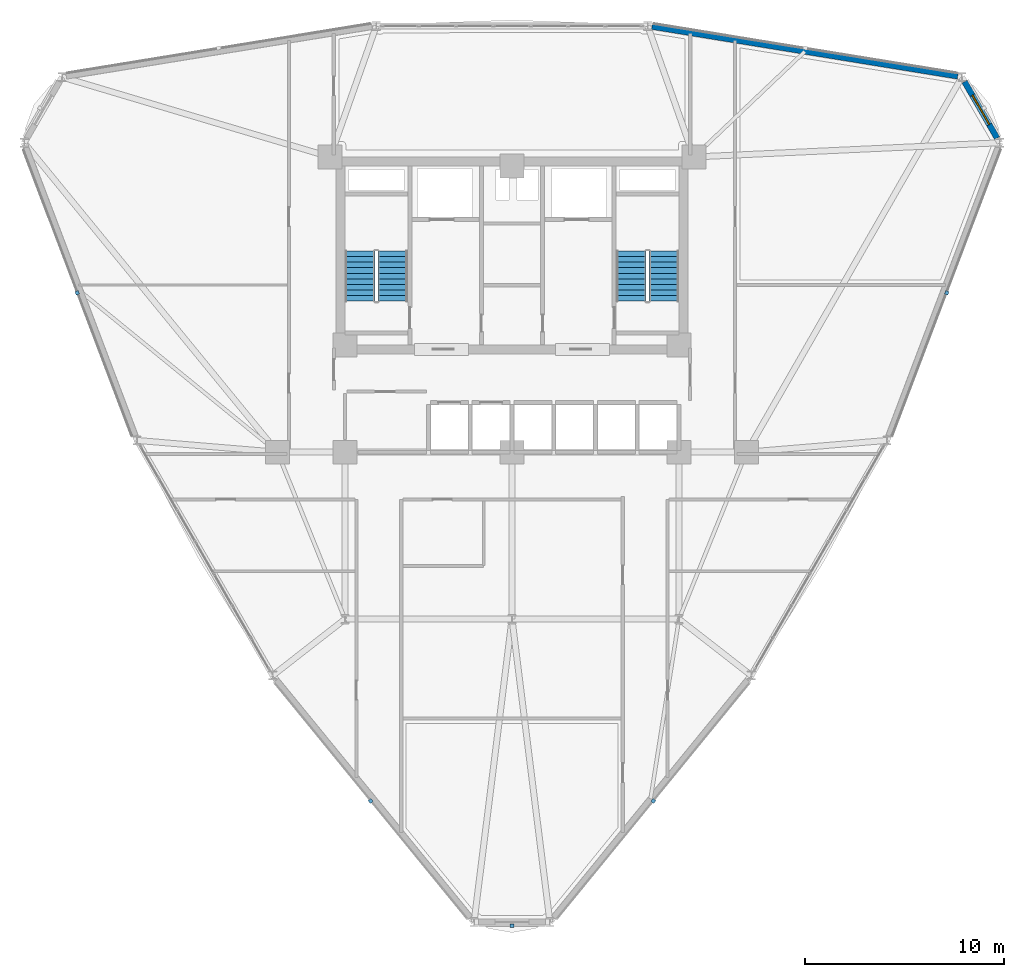
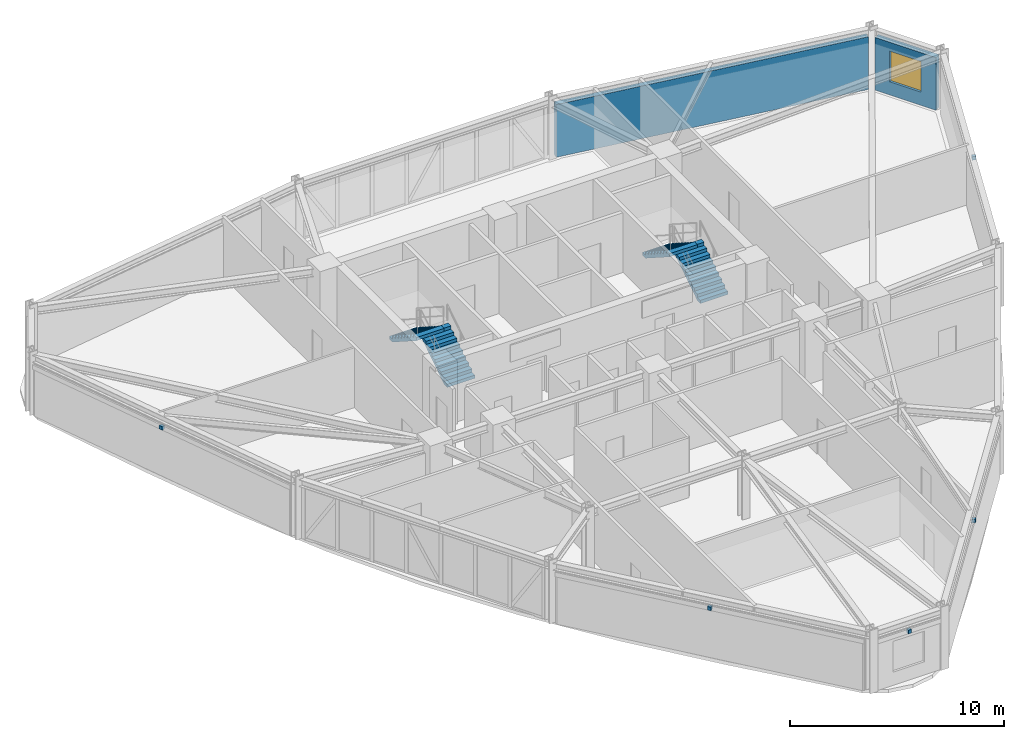
# One storey, part 12 of 17: 5 discrete accessories, 4 stair flights, 2 walls, 1 window, 1 opening, 2 elements without a shape of their own.
"""IFC4 building model written with IfcOpenShell, lengths in metres."""

import ifcopenshell
import ifcopenshell.guid

model = None  # the IFC model being written
_history = None  # IfcOwnerHistory: only IFC2X3 demands one
_inside = {}  # id of a spatial element -> (the spatial element, [elements in it])
_under = {}  # id of a project, library or spatial element -> (it, [spatial elements below it])
_declared = {}  # id of a project -> (the project, [libraries it declares])
_typed = {}  # id of a type object -> (the type object, [elements of that type])
_made_of = {}  # id of a material, layer set ... -> (it, [elements and type objects made of it])


def new_model(schema):
    """Start an empty IFC model of exactly this schema.

    Asked for "IFC4X3", IfcOpenShell would pick the latest addendum, in which some entities
    have other attributes; the version numbers below select the first issue.
    IFC2X3 requires an IfcOwnerHistory on every rooted entity: one is made here for all.
    """
    global model, _history
    if schema == "IFC4X3":
        model = ifcopenshell.file(schema_version=(4, 3, 0, 0))
    else:
        model = ifcopenshell.file(schema=schema)
    _inside.clear()
    _under.clear()
    _declared.clear()
    _typed.clear()
    _made_of.clear()
    _history = None
    if model.schema == "IFC2X3":
        org = make("IfcOrganization", Name="unknown")
        user = make(
            "IfcPersonAndOrganization",
            ThePerson=make("IfcPerson", FamilyName="unknown"),
            TheOrganization=org,
        )
        app = make(
            "IfcApplication",
            ApplicationDeveloper=org,
            Version="unknown",
            ApplicationFullName="unknown",
            ApplicationIdentifier="unknown",
        )
        _history = make(
            "IfcOwnerHistory",
            OwningUser=user,
            OwningApplication=app,
            ChangeAction="ADDED",
            CreationDate=0,
        )
    return model


def make(cls, **values):
    """One entity of the class cls with the attributes given. An attribute that is None is left unset."""
    return model.create_entity(
        cls, **{name: value for name, value in values.items() if value is not None}
    )


def rooted(cls, **values):
    """An entity with a GlobalId (a new one), such as an element, a storey or a relation."""
    return make(cls, GlobalId=ifcopenshell.guid.new(), OwnerHistory=_history, **values)


def si_unit(unit_type, name, prefix=None):
    """IfcSIUnit, for example si_unit("LENGTHUNIT", "METRE", prefix="MILLI")."""
    return make("IfcSIUnit", UnitType=unit_type, Prefix=prefix, Name=name)


def derived_unit(unit_type, elements):
    """IfcDerivedUnit: a product of units, each with its exponent."""
    return make(
        "IfcDerivedUnit",
        Elements=[
            make("IfcDerivedUnitElement", Unit=unit, Exponent=power)
            for unit, power in elements
        ],
        UnitType=unit_type,
    )


def assignment(units):
    """IfcUnitAssignment: the units of a project."""
    return None if units is None else make("IfcUnitAssignment", Units=units)


def point(xyz):
    """IfcCartesianPoint."""
    return None if xyz is None else make("IfcCartesianPoint", Coordinates=xyz)


def direction(xyz):
    """IfcDirection."""
    return None if xyz is None else make("IfcDirection", DirectionRatios=xyz)


def frame(location, z_axis=None, x_axis=None):
    """IfcAxis2Placement3D, a coordinate frame: its origin and axes. An axis left out is left unset."""
    return make(
        "IfcAxis2Placement3D",
        Location=point(location),
        Axis=direction(z_axis),
        RefDirection=direction(x_axis),
    )


def frame_2d(location, x_axis=None):
    """IfcAxis2Placement2D, a coordinate frame in the plane: its origin and x axis."""
    return make(
        "IfcAxis2Placement2D", Location=point(location), RefDirection=direction(x_axis)
    )


def origin():
    """The frame at (0, 0, 0) with its axes left unset."""
    return frame((0.0, 0.0, 0.0))


def origin_2d():
    """The frame at (0, 0) in the plane with its x axis left unset."""
    return frame_2d((0.0, 0.0))


def place(relative_to, where):
    """IfcLocalPlacement: puts the frame where relative to a parent placement (None: the world)."""
    return make(
        "IfcLocalPlacement", PlacementRelTo=relative_to, RelativePlacement=where
    )


def context(
    kind, dimensions, precision=None, world=None, true_north=None, identifier=None
):
    """IfcGeometricRepresentationContext, for example the 3D "Model" context."""
    return make(
        "IfcGeometricRepresentationContext",
        ContextIdentifier=identifier,
        ContextType=kind,
        CoordinateSpaceDimension=dimensions,
        Precision=precision,
        WorldCoordinateSystem=world,
        TrueNorth=true_north,
    )


def subcontext(parent, identifier, kind, view, scale=None):
    """IfcGeometricRepresentationSubContext, for example "Body" below "Model"."""
    return make(
        "IfcGeometricRepresentationSubContext",
        ContextIdentifier=identifier,
        ContextType=kind,
        ParentContext=parent,
        TargetScale=scale,
        TargetView=view,
    )


def project(units=None, contexts=None):
    """IfcProject with its units and contexts."""
    return rooted(
        "IfcProject",
        Name="project",
        RepresentationContexts=contexts,
        UnitsInContext=assignment(units),
    )


def spatial(cls, under=None, at=None, **own):
    """A site, building, storey or space (cls), placed at a placement, below another one or the project."""
    s = rooted(cls, ObjectPlacement=at, **own)
    if under is not None:
        _under.setdefault(under.id(), (under, []))[1].append(s)
    return s


def polyline(points):
    """IfcPolyline through the points."""
    return make("IfcPolyline", Points=[point(p) for p in points])


def profile(cls, at=None, kind="AREA", **sizes):
    """A parametric profile (cls). Its sizes go by their IFC names, for example OverallWidth=200.0."""
    return make(cls, ProfileType=kind, Position=at, **sizes)


def rectangle(**sizes):
    """IfcRectangleProfileDef."""
    return profile("IfcRectangleProfileDef", **sizes)


def outline(outer, holes=None, kind="AREA"):
    """IfcArbitraryClosedProfileDef: a profile drawn as a closed curve; with holes, ...WithVoids."""
    if holes is None:
        return make("IfcArbitraryClosedProfileDef", ProfileType=kind, OuterCurve=outer)
    return make(
        "IfcArbitraryProfileDefWithVoids",
        ProfileType=kind,
        OuterCurve=outer,
        InnerCurves=holes,
    )


def extrude(swept, where, along, depth):
    """IfcExtrudedAreaSolid: the profile swept, set in the frame where, extruded along a direction by depth."""
    return make(
        "IfcExtrudedAreaSolid",
        SweptArea=swept,
        Position=where,
        ExtrudedDirection=direction(along),
        Depth=depth,
    )


def shape(context_of_items, identifier, shape_type, items):
    """IfcShapeRepresentation: the items that make up one representation, for example the "Body"."""
    return make(
        "IfcShapeRepresentation",
        ContextOfItems=context_of_items,
        RepresentationIdentifier=identifier,
        RepresentationType=shape_type,
        Items=items,
    )


def source(mapping_origin, context_of_items, identifier, shape_type, items):
    """IfcRepresentationMap: a shape defined once, which mapped items show again and again."""
    return make(
        "IfcRepresentationMap",
        MappingOrigin=mapping_origin,
        MappedRepresentation=shape(context_of_items, identifier, shape_type, items),
    )


def transform(
    local_origin,
    x_axis=None,
    y_axis=None,
    z_axis=None,
    scale=None,
    scale2=None,
    scale3=None,
    uniform=True,
):
    """IfcCartesianTransformationOperator3D, or its non-uniform kind. x_axis, y_axis, z_axis: its Axis1, 2, 3."""
    if uniform:
        return make(
            "IfcCartesianTransformationOperator3D",
            Axis1=direction(x_axis),
            Axis2=direction(y_axis),
            LocalOrigin=point(local_origin),
            Scale=scale,
            Axis3=direction(z_axis),
        )
    return make(
        "IfcCartesianTransformationOperator3DnonUniform",
        Axis1=direction(x_axis),
        Axis2=direction(y_axis),
        LocalOrigin=point(local_origin),
        Scale=scale,
        Axis3=direction(z_axis),
        Scale2=scale2,
        Scale3=scale3,
    )


def mapped(mapping_source, mapping_target):
    """IfcMappedItem: shows the shape of a source again, moved by a transform."""
    return make(
        "IfcMappedItem", MappingSource=mapping_source, MappingTarget=mapping_target
    )


def material(Name=None, Category=None):
    """IfcMaterial."""
    return make("IfcMaterial", Name=Name, Category=Category)


def layer(
    of_material, thickness, ventilated=None, Name=None, Category=None, Priority=None
):
    """IfcMaterialLayer: one layer of a wall or slab, of a material (None: an air gap)."""
    return make(
        "IfcMaterialLayer",
        Material=of_material,
        LayerThickness=thickness,
        IsVentilated=ventilated,
        Name=Name,
        Category=Category,
        Priority=Priority,
    )


def layer_set(layers, Name=None):
    """IfcMaterialLayerSet."""
    return make("IfcMaterialLayerSet", MaterialLayers=layers, LayerSetName=Name)


def made_of(thing, what):
    """Note that an element or type object is made of a material, layer set ...; save() writes the relation."""
    if what is not None:
        _made_of.setdefault(what.id(), (what, []))[1].append(thing)
    return thing


def type_object(cls, material=None, **own):
    """A type object (cls), such as IfcWallType, which elements share."""
    return made_of(rooted(cls, **own), material)


def element(
    cls,
    number,
    at=None,
    inside=None,
    cuts=None,
    type_object=None,
    material=None,
    context=None,
    identifier="Body",
    shape_type=None,
    held_by="IfcProductDefinitionShape",
    body=None,
    shapes=None,
    **own,
):
    """One element of the class cls, such as IfcWall. Its Tag is "e" and its number.

    at: its placement. inside: the storey or other place that contains it. cuts: it is an
    opening in that element (IfcRelVoidsElement). A single representation is given by context,
    identifier, shape_type and body (its items); several are given by shapes. held_by: the class
    of the entity that holds the representations. save() writes the other relations.
    """
    e = rooted(cls, Tag="e%d" % number, ObjectPlacement=at, **own)
    if body is not None:
        shapes = [shape(context, identifier, shape_type, body)]
    if shapes is not None:
        e.Representation = make(held_by, Representations=shapes)
    if inside is not None:
        _inside.setdefault(inside.id(), (inside, []))[1].append(e)
    if cuts is not None:
        rooted(
            "IfcRelVoidsElement", RelatingBuildingElement=cuts, RelatedOpeningElement=e
        )
    if type_object is not None:
        _typed.setdefault(type_object.id(), (type_object, []))[1].append(e)
    return made_of(e, material)


def fill(opening, filler):
    """IfcRelFillsElement: the door or window that sits in an opening."""
    return rooted(
        "IfcRelFillsElement",
        RelatingOpeningElement=opening,
        RelatedBuildingElement=filler,
    )


def aggregate(whole, parts):
    """IfcRelAggregates: a whole, such as a stair, and the parts it consists of."""
    return rooted("IfcRelAggregates", RelatingObject=whole, RelatedObjects=parts)


def save(model, path):
    """Write the relations noted so far, then the file.

    IfcRelAggregates (storeys below a building ...), IfcRelContainedInSpatialStructure (elements
    in a storey), IfcRelDefinesByType, IfcRelAssociatesMaterial and IfcRelDeclares: one each for
    every whole, place, type object, material and project.
    """
    for whole, parts in _under.values():
        aggregate(whole, parts)
    for where, things in _inside.values():
        rooted(
            "IfcRelContainedInSpatialStructure",
            RelatedElements=things,
            RelatingStructure=where,
        )
    for kind, things in _typed.values():
        rooted("IfcRelDefinesByType", RelatedObjects=things, RelatingType=kind)
    for what, things in _made_of.values():
        rooted("IfcRelAssociatesMaterial", RelatedObjects=things, RelatingMaterial=what)
    for by, libraries in _declared.values():
        rooted("IfcRelDeclares", RelatingContext=by, RelatedDefinitions=libraries)
    model.write(path)


model = new_model("IFC4")

# Units and contexts
model_context = context("Model", 3, precision=1e-05, world=origin(), true_north=direction((0.0, 1.0)))
body_context = subcontext(model_context, "Body", "Model", "MODEL_VIEW")
ifc_project = project(units=[si_unit("LENGTHUNIT", "METRE"), si_unit("AREAUNIT", "SQUARE_METRE"), si_unit("VOLUMEUNIT", "CUBIC_METRE"), si_unit("PLANEANGLEUNIT", "RADIAN"), si_unit("MASSUNIT", "GRAM", prefix="KILO"), derived_unit("THERMALTRANSMITTANCEUNIT", [(si_unit("POWERUNIT", "WATT"), 1), (si_unit("LENGTHUNIT", "METRE"), -2), (si_unit("THERMODYNAMICTEMPERATUREUNIT", "KELVIN"), -1)])], contexts=[model_context])

# Site, building, storey
site_placement = place(None, origin())
site = spatial("IfcSite", under=ifc_project, at=site_placement, CompositionType="ELEMENT")
building_placement = place(site_placement, origin())
building = spatial("IfcBuilding", under=site, at=building_placement, Name="Korsvarv Bourse and Concert Hall", CompositionType="ELEMENT")
storey_placement = place(building_placement, frame((0.0, 0.0, 124.199951171875)))
storey = spatial("IfcBuildingStorey", under=building, at=storey_placement, Name="L31", CompositionType="ELEMENT", Elevation=124.199951171875)

# Wall, opening, window
ifc_material_1 = material(Name="Precast concrete C45/55 with terracotta rainscreen", Category="concrete")
ifc_layer_1 = layer(ifc_material_1, 0.300048828125)
ifc_layer_set_1 = layer_set([ifc_layer_1], Name="Precast concrete C45/55 with terracotta rainscreen")
wall_type_1 = type_object("IfcWallType", Name="WL-EXT-TC1", PredefinedType="SOLIDWALL", material=ifc_layer_set_1)
wall_1_placement = place(storey_placement, frame((60.40771484375, 48.198486328125, 0.0), z_axis=(0.0, 0.0, 1.0), x_axis=(-0.500014611105, 0.866016967894, 0.0)))
wall_1 = element("IfcWall", 1, at=wall_1_placement, inside=storey, type_object=wall_type_1, Name="L31 terracotta exterior wall EW-L31-B01", PredefinedType="SOLIDWALL", context=body_context, shape_type="SweptSolid", body=[
    extrude(rectangle(XDim=3.279296875, YDim=0.300048828125, at=frame_2d((1.6396484375, 0.0))), origin(), (0.0, 0.0, 1.0), 3.0),
])
opening_placement = place(wall_1_placement, frame((0.78955078125, 0.0, 0.75)))
opening = element("IfcOpeningElement", 2, at=opening_placement, cuts=wall_1, Name="Opening W-01", PredefinedType="OPENING", context=body_context, shape_type="SweptSolid", body=[
    extrude(rectangle(XDim=1.699951171875, YDim=1.75, at=frame_2d((0.85009765625, 0.875))), frame((0.0, 0.16015625, 0.0), z_axis=(0.0, -1.0, 0.0), x_axis=(1.0, 0.0, 0.0)), (0.0, 0.0, 1.0), 0.320068359375),
])
ifc_material_2 = material(Name="Thermally broken aluminium frame with triple low-E glass", Category="glass")
window_type = type_object("IfcWindowType", Name="WIN-TW1", PartitioningType="SINGLE_PANEL", PredefinedType="WINDOW", material=ifc_material_2)
window_placement = place(opening_placement, origin())
window = element("IfcWindow", 3, at=window_placement, inside=storey, type_object=window_type, Name="L31 punched facade window W-01", OverallHeight=1.75, OverallWidth=1.699951171875, PartitioningType="SINGLE_PANEL", PredefinedType="WINDOW", context=body_context, shape_type="SweptSolid", body=[
    extrude(rectangle(XDim=1.699951171875, YDim=1.75, at=frame_2d((0.85009765625, 0.875))), frame((0.0, 0.030029296875, 0.0), z_axis=(0.0, -1.0, 0.0), x_axis=(1.0, 0.0, 0.0)), (0.0, 0.0, 1.0), 0.06005859375),
])
fill(opening, window)

# Wall
ifc_material_3 = material(Name="Precast concrete C45/55 with fluted terracotta pier", Category="concrete")
ifc_layer_2 = layer(ifc_material_3, 0.280029296875)
ifc_layer_set_2 = layer_set([ifc_layer_2], Name="Precast concrete C45/55 with fluted terracotta pier")
wall_type_2 = type_object("IfcWallType", Name="WL-EXT-TC2", PredefinedType="SOLIDWALL", material=ifc_layer_set_2)
wall_2_placement = place(storey_placement, frame((58.419921875, 51.3056640625, 0.0), z_axis=(0.0, 0.0, 1.0), x_axis=(-0.987036263752, 0.160497395736, 0.0)))
element("IfcWall", 4, at=wall_2_placement, inside=storey, type_object=wall_type_2, Name="L31 terracotta exterior wall EW-L31-B02", PredefinedType="SOLIDWALL", context=body_context, shape_type="SweptSolid", body=[
    extrude(rectangle(XDim=15.5810546875, YDim=0.280029296875, at=frame_2d((7.79052734375, 0.0))), origin(), (0.0, 0.0, 1.0), 3.0),
])

# Stair, stair flights
ifc_material_4 = material(Name="Precast concrete C45/55", Category="concrete")
stair_type = type_object("IfcStairType", Name="STR-TYPE-04", PredefinedType="HALF_TURN_STAIR", material=ifc_material_4)
stair_1_placement = place(storey_placement, origin())
stair_1 = element("IfcStair", 5, at=stair_1_placement, inside=storey, type_object=stair_type, Name="L31 Tower West Exit Stair ST-T1", PredefinedType="HALF_TURN_STAIR")
stair_flight_type = type_object("IfcStairFlightType", Name="FLT-TYPE-04", PredefinedType="STRAIGHT", material=ifc_material_4)
stair_flight_1_placement = place(storey_placement, frame((30.010009765625, 40.0, 0.0), z_axis=(0.0, 0.0, 1.0), x_axis=(0.0, 1.0, 0.0)))
stair_flight_1 = element("IfcStairFlight", 6, at=stair_flight_1_placement, type_object=stair_flight_type, Name="ST-T1 flight 1", NumberOfRisers=10, NumberOfTreads=9, PredefinedType="STRAIGHT", RiserHeight=0.18, TreadLength=0.28, context=body_context, shape_type="SweptSolid", body=[
    extrude(outline(polyline([(0.0, 0.0), (0.0, 0.179931640625), (0.280029296875, 0.179931640625), (0.280029296875, 0.360107421875), (0.56005859375, 0.360107421875), (0.56005859375, 0.5400390625), (0.840087890625, 0.5400390625), (0.840087890625, 0.719970703125), (1.1201171875, 0.719970703125), (1.1201171875, 0.89990234375), (1.39990234375, 0.89990234375), (1.39990234375, 1.080078125), (1.679931640625, 1.080078125), (1.679931640625, 1.260009765625), (1.9599609375, 1.260009765625), (1.9599609375, 1.43994140625), (2.239990234375, 1.43994140625), (2.239990234375, 1.6201171875), (2.52001953125, 1.6201171875), (2.52001953125, 1.800048828125), (2.52001953125, 1.44189453125), (0.277099609375, 0.0), (0.0, 0.0)])), frame((0.0, 0.75, 0.0), z_axis=(0.0, -1.0, 0.0), x_axis=(1.0, 0.0, 0.0)), (0.0, 0.0, 1.0), 1.5),
])
stair_flight_2_placement = place(storey_placement, frame((28.35009765625, 42.52001953125, 1.800048828125), z_axis=(0.0, 0.0, 1.0), x_axis=(0.0, -1.0, 0.0)))
stair_flight_2 = element("IfcStairFlight", 7, at=stair_flight_2_placement, type_object=stair_flight_type, Name="ST-T1 flight 2", NumberOfRisers=10, NumberOfTreads=9, PredefinedType="STRAIGHT", RiserHeight=0.18, TreadLength=0.28, context=body_context, shape_type="SweptSolid", body=[
    extrude(outline(polyline([(0.0, 0.0), (0.0, 0.179931640625), (0.280029296875, 0.179931640625), (0.280029296875, 0.360107421875), (0.56005859375, 0.360107421875), (0.56005859375, 0.5400390625), (0.840087890625, 0.5400390625), (0.840087890625, 0.719970703125), (1.1201171875, 0.719970703125), (1.1201171875, 0.89990234375), (1.39990234375, 0.89990234375), (1.39990234375, 1.080078125), (1.679931640625, 1.080078125), (1.679931640625, 1.260009765625), (1.9599609375, 1.260009765625), (1.9599609375, 1.43994140625), (2.239990234375, 1.43994140625), (2.239990234375, 1.6201171875), (2.52001953125, 1.6201171875), (2.52001953125, 1.800048828125), (2.52001953125, 1.44189453125), (0.277099609375, 0.0), (0.0, 0.0)])), frame((0.0, 0.75, 0.0), z_axis=(0.0, -1.0, 0.0), x_axis=(1.0, 0.0, 0.0)), (0.0, 0.0, 1.0), 1.5),
])
aggregate(stair_1, [stair_flight_1, stair_flight_2])

stair_2_placement = place(storey_placement, origin())
stair_2 = element("IfcStair", 8, at=stair_2_placement, inside=storey, type_object=stair_type, Name="L31 Tower East Exit Stair ST-T2", PredefinedType="HALF_TURN_STAIR")
stair_flight_3_placement = place(storey_placement, frame((43.64990234375, 40.0, 0.0), z_axis=(0.0, 0.0, 1.0), x_axis=(0.0, 1.0, 0.0)))
stair_flight_3 = element("IfcStairFlight", 9, at=stair_flight_3_placement, type_object=stair_flight_type, Name="ST-T2 flight 1", NumberOfRisers=10, NumberOfTreads=9, PredefinedType="STRAIGHT", RiserHeight=0.18, TreadLength=0.28, context=body_context, shape_type="SweptSolid", body=[
    extrude(outline(polyline([(0.0, 0.0), (0.0, 0.179931640625), (0.280029296875, 0.179931640625), (0.280029296875, 0.360107421875), (0.56005859375, 0.360107421875), (0.56005859375, 0.5400390625), (0.840087890625, 0.5400390625), (0.840087890625, 0.719970703125), (1.1201171875, 0.719970703125), (1.1201171875, 0.89990234375), (1.39990234375, 0.89990234375), (1.39990234375, 1.080078125), (1.679931640625, 1.080078125), (1.679931640625, 1.260009765625), (1.9599609375, 1.260009765625), (1.9599609375, 1.43994140625), (2.239990234375, 1.43994140625), (2.239990234375, 1.6201171875), (2.52001953125, 1.6201171875), (2.52001953125, 1.800048828125), (2.52001953125, 1.44189453125), (0.277099609375, 0.0), (0.0, 0.0)])), frame((0.0, 0.75, 0.0), z_axis=(0.0, -1.0, 0.0), x_axis=(1.0, 0.0, 0.0)), (0.0, 0.0, 1.0), 1.5),
])
stair_flight_4_placement = place(storey_placement, frame((41.989990234375, 42.52001953125, 1.800048828125), z_axis=(0.0, 0.0, 1.0), x_axis=(0.0, -1.0, 0.0)))
stair_flight_4 = element("IfcStairFlight", 10, at=stair_flight_4_placement, type_object=stair_flight_type, Name="ST-T2 flight 2", NumberOfRisers=10, NumberOfTreads=9, PredefinedType="STRAIGHT", RiserHeight=0.18, TreadLength=0.28, context=body_context, shape_type="SweptSolid", body=[
    extrude(outline(polyline([(0.0, 0.0), (0.0, 0.179931640625), (0.280029296875, 0.179931640625), (0.280029296875, 0.360107421875), (0.56005859375, 0.360107421875), (0.56005859375, 0.5400390625), (0.840087890625, 0.5400390625), (0.840087890625, 0.719970703125), (1.1201171875, 0.719970703125), (1.1201171875, 0.89990234375), (1.39990234375, 0.89990234375), (1.39990234375, 1.080078125), (1.679931640625, 1.080078125), (1.679931640625, 1.260009765625), (1.9599609375, 1.260009765625), (1.9599609375, 1.43994140625), (2.239990234375, 1.43994140625), (2.239990234375, 1.6201171875), (2.52001953125, 1.6201171875), (2.52001953125, 1.800048828125), (2.52001953125, 1.44189453125), (0.277099609375, 0.0), (0.0, 0.0)])), frame((0.0, 0.75, 0.0), z_axis=(0.0, -1.0, 0.0), x_axis=(1.0, 0.0, 0.0)), (0.0, 0.0, 1.0), 1.5),
])
aggregate(stair_2, [stair_flight_3, stair_flight_4])

# Discrete accessories
ifc_material_5 = material(Name="Stainless Steel S355 facade outrigger bracket", Category="steel")
discrete_accessory_type = type_object("IfcDiscreteAccessoryType", Name="ACC-BRK-1", PredefinedType="BRACKET", material=ifc_material_5)
shared_shape = source(origin(), body_context, "Body", "SweptSolid", [
    extrude(rectangle(XDim=0.179931640625, YDim=0.179931640625, at=origin_2d()), origin(), (0.0, 0.0, 1.0), 0.199951171875),
])
for number, where, z_axis, x_axis, name in (
    (11, (14.128662109375, 40.4150390625, 2.68994140625), (0.0, 0.0, 1.0), (0.354454244484, -0.935073359992, 0.0), "L31 terracotta sunshade bracket EW-L31-B06"),
    (12, (28.8876953125, 14.851318359375, 2.740234375), (0.0, 0.0, 1.0), (0.632570161913, -0.774503060199, 0.0), "L31 terracotta sunshade bracket EW-L31-B08"),
    (13, (36.0, 8.572998046875, 2.740234375), (0.0, 0.0, 1.0), (1.0, 0.0, 0.0), "L31 terracotta sunshade bracket EW-L31-B09"),
    (14, (43.1123046875, 14.851318359375, 2.740234375), (0.0, 0.0, 1.0), (0.632570161913, 0.774503060199, 0.0), "L31 terracotta sunshade bracket EW-L31-B10"),
    (15, (57.871337890625, 40.4150390625, 2.740234375), (0.0, 0.0, 1.0), (0.354454244484, 0.935073359992, 0.0), "L31 terracotta sunshade bracket EW-L31-B12"),
):
    element("IfcDiscreteAccessory", number, at=place(storey_placement, frame(where, z_axis=z_axis, x_axis=x_axis)), inside=storey, type_object=discrete_accessory_type, Name=name, PredefinedType="BRACKET", context=body_context, shape_type="MappedRepresentation", body=[
        mapped(shared_shape, transform((0.0, 0.0, 0.0), scale=1.0)),
    ])

save(model, "model.ifc")
